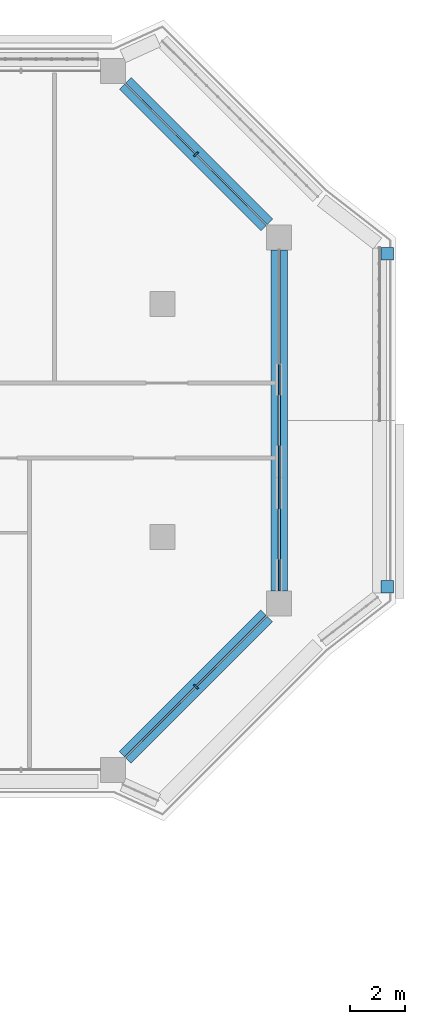
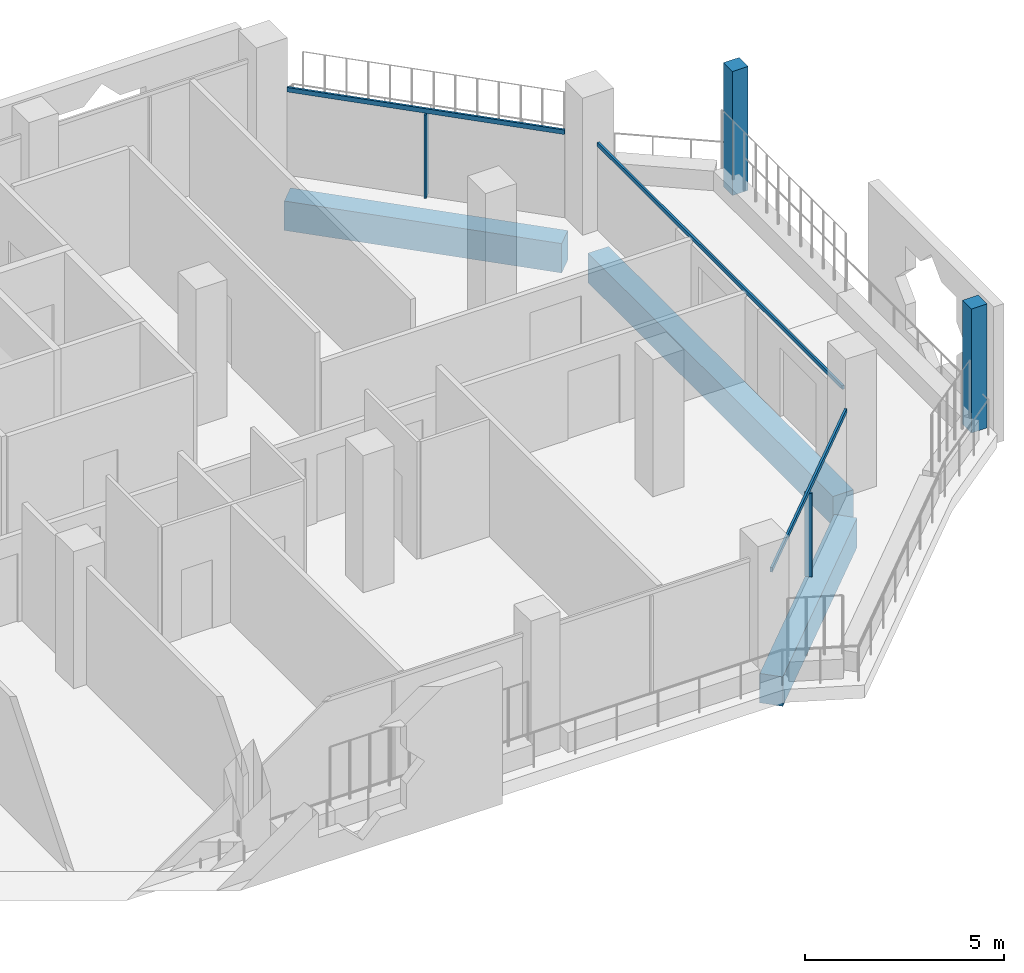
# One storey, part 7 of 22: 7 members, 3 beams, 4 elements without a shape of their own.
"""IFC4 building model written with IfcOpenShell, lengths in metres."""

from ifc_helpers import new_model, si_unit, direction, frame, origin, origin_2d, place, context, subcontext, project, spatial, rectangle, extrude, material, layer, layer_set, material_profile, profile_set, type_object, element, aggregate, save


model = new_model("IFC4")

# Units and contexts
model_context = context("Model", 3, precision=1e-05, world=origin(), true_north=direction((0.0, 1.0)))
body_context = subcontext(model_context, "Body", "Model", "MODEL_VIEW")
ifc_project = project(units=[si_unit("LENGTHUNIT", "METRE"), si_unit("AREAUNIT", "SQUARE_METRE"), si_unit("VOLUMEUNIT", "CUBIC_METRE"), si_unit("PLANEANGLEUNIT", "RADIAN"), si_unit("MASSUNIT", "GRAM", prefix="KILO")], contexts=[model_context])

# Site, building, storey
site_placement = place(None, origin())
site = spatial("IfcSite", under=ifc_project, at=site_placement, CompositionType="ELEMENT")
building_placement = place(site_placement, origin())
building = spatial("IfcBuilding", under=site, at=building_placement, Name="Kawkab Arch Medical Tower", CompositionType="ELEMENT")
storey_placement = place(building_placement, frame((0.0, 0.0, 255.800048828125)))
storey = spatial("IfcBuildingStorey", under=building, at=storey_placement, Name="L59", CompositionType="ELEMENT", Elevation=255.800048828125)

# Curtain wall, member
ifc_material_1 = material(Name="Bronze anodised aluminium curtain wall frame", Category="aluminium")
ifc_layer_1 = layer(ifc_material_1, 0.159912109375)
ifc_layer_set_1 = layer_set([ifc_layer_1], Name="Bronze anodised aluminium curtain wall frame")
curtain_wall_type_1 = type_object("IfcCurtainWallType", Name="CW1 ward curtain wall", PredefinedType="NOTDEFINED", material=ifc_layer_set_1)
placement = place(storey_placement, origin())
curtain_wall_1 = element("IfcCurtainWall", 1, at=placement, inside=storey, type_object=curtain_wall_type_1, Name="CW1 Ward curtain wall R09", PredefinedType="NOTDEFINED")
ifc_material_2 = material(Name="Bronze anodised aluminium curtain wall frame", Category="aluminium")
ifc_material_profile_1 = material_profile(ifc_material_2, rectangle(XDim=0.06005859375, YDim=0.1201171875, at=origin_2d()), Name="AL 60x120")
ifc_profile_set_1 = profile_set([ifc_material_profile_1], Name="Bronze anodised aluminium curtain wall frame")
member_type_1 = type_object("IfcMemberType", Name="CW1 transom 120 x 60", PredefinedType="USERDEFINED", material=ifc_profile_set_1)
member_1_placement = place(storey_placement, frame((63.0, -18.75, 2.639892578125), z_axis=(0.0, 1.0, 0.0), x_axis=(-1.0, 0.0, 0.0)))
member_1 = element("IfcMember", 2, at=member_1_placement, type_object=member_type_1, Name="CW1 transom 1", ObjectType="TRANSOM", PredefinedType="USERDEFINED", context=body_context, shape_type="SweptSolid", body=[
    extrude(rectangle(XDim=0.06005859375, YDim=0.1201171875, at=origin_2d()), origin(), (0.0, 0.0, 1.0), 12.300048828125),
])
aggregate(curtain_wall_1, [member_1])

ifc_material_3 = material(Name="Bronze anodised aluminium curtain wall frame", Category="aluminium")
ifc_layer_2 = layer(ifc_material_3, 0.159912109375)
ifc_layer_set_2 = layer_set([ifc_layer_2], Name="Bronze anodised aluminium curtain wall frame")
curtain_wall_type_2 = type_object("IfcCurtainWallType", Name="CW2 chamfer curtain wall", PredefinedType="NOTDEFINED", material=ifc_layer_set_2)
curtain_wall_2 = element("IfcCurtainWall", 3, at=placement, inside=storey, type_object=curtain_wall_type_2, Name="CW2 Chamfer curtain wall R08", PredefinedType="NOTDEFINED")
ifc_material_4 = material(Name="Bronze anodised aluminium curtain wall frame", Category="aluminium")
ifc_material_profile_2 = material_profile(ifc_material_4, rectangle(XDim=0.199951171875, YDim=0.06005859375, at=origin_2d()), Name="AL 60x200")
ifc_profile_set_2 = profile_set([ifc_material_profile_2], Name="Bronze anodised aluminium curtain wall frame")
member_type_2 = type_object("IfcMemberType", Name="CW2 mullion 60 x 200", PredefinedType="MULLION", material=ifc_profile_set_2)
member_2_placement = place(storey_placement, frame((60.0, -22.199951171875, 0.0), z_axis=(0.0, 0.0, 1.0), x_axis=(-0.707106781187, 0.707106781187, 0.0)))
member_2 = element("IfcMember", 4, at=member_2_placement, type_object=member_type_2, Name="CW2 mullion 1.1", PredefinedType="MULLION", context=body_context, shape_type="SweptSolid", body=[
    extrude(rectangle(XDim=0.199951171875, YDim=0.06005859375, at=origin_2d()), origin(), (0.0, 0.0, 1.0), 2.56005859375),
])

curtain_wall_3 = element("IfcCurtainWall", 5, at=placement, inside=storey, type_object=curtain_wall_type_2, Name="CW2 Chamfer curtain wall R10", PredefinedType="NOTDEFINED")
member_3_placement = place(storey_placement, frame((60.0, -3.0, 0.0), z_axis=(0.0, 0.0, 1.0), x_axis=(-0.707106781187, -0.707106781187, 0.0)))
member_3 = element("IfcMember", 6, at=member_3_placement, type_object=member_type_2, Name="CW2 mullion 1.1", PredefinedType="MULLION", context=body_context, shape_type="SweptSolid", body=[
    extrude(rectangle(XDim=0.199951171875, YDim=0.06005859375, at=origin_2d()), origin(), (0.0, 0.0, 1.0), 2.56005859375),
])

# Member
ifc_material_5 = material(Name="Bronze anodised aluminium curtain wall frame", Category="aluminium")
ifc_material_profile_3 = material_profile(ifc_material_5, rectangle(XDim=0.06005859375, YDim=0.139892578125, at=origin_2d()), Name="AL 60x140")
ifc_profile_set_3 = profile_set([ifc_material_profile_3], Name="Bronze anodised aluminium curtain wall frame")
member_type_3 = type_object("IfcMemberType", Name="CW2 transom 140 x 60", PredefinedType="USERDEFINED", material=ifc_profile_set_3)
member_4_placement = place(storey_placement, frame((57.449951171875, -24.75, 2.6298828125), z_axis=(0.707106781187, 0.707106781187, 0.0), x_axis=(-0.707106781187, 0.707106781187, 0.0)))
member_4 = element("IfcMember", 7, at=member_4_placement, type_object=member_type_3, Name="CW2 transom 1", ObjectType="TRANSOM", PredefinedType="USERDEFINED", context=body_context, shape_type="SweptSolid", body=[
    extrude(rectangle(XDim=0.06005859375, YDim=0.139892578125, at=origin_2d()), origin(), (0.0, 0.0, 1.0), 7.212646484375),
])

aggregate(curtain_wall_2, [member_4, member_2])

member_5_placement = place(storey_placement, frame((62.550048828125, -5.550048828125, 2.6298828125), z_axis=(-0.707106781187, 0.707106781187, 0.0), x_axis=(-0.707106781187, -0.707106781187, 0.0)))
member_5 = element("IfcMember", 8, at=member_5_placement, type_object=member_type_3, Name="CW2 transom 1", ObjectType="TRANSOM", PredefinedType="USERDEFINED", context=body_context, shape_type="SweptSolid", body=[
    extrude(rectangle(XDim=0.06005859375, YDim=0.139892578125, at=origin_2d()), origin(), (0.0, 0.0, 1.0), 7.212646484375),
])

aggregate(curtain_wall_3, [member_5, member_3])

# Curtain wall, members
ifc_material_6 = material(Name="Bronze anodised aluminium climber frame, planted", Category="aluminium")
ifc_layer_3 = layer(ifc_material_6, 0.449951171875)
ifc_layer_set_3 = layer_set([ifc_layer_3], Name="Bronze anodised aluminium climber frame, planted")
curtain_wall_type_3 = type_object("IfcCurtainWallType", Name="Planted climber frame", PredefinedType="NOTDEFINED", material=ifc_layer_set_3)
curtain_wall_4 = element("IfcCurtainWall", 9, at=placement, inside=storey, type_object=curtain_wall_type_3, Name="Planted climber frame L59", PredefinedType="NOTDEFINED")
ifc_material_7 = material(Name="Bronze anodised aluminium climber frame, planted", Category="aluminium")
ifc_material_profile_4 = material_profile(ifc_material_7, rectangle(XDim=0.449951171875, YDim=0.449951171875, at=origin_2d()), Name="Post 450x450")
ifc_profile_set_4 = profile_set([ifc_material_profile_4], Name="Bronze anodised aluminium climber frame, planted")
member_type_4 = type_object("IfcMemberType", Name="Planted climber post 450 x 450", PredefinedType="MULLION", material=ifc_profile_set_4)
member_6_placement = place(storey_placement, frame((66.89990234375, -6.596923828125, 0.0), z_axis=(0.0, 0.0, 1.0), x_axis=(1.0, 0.0, 0.0)))
member_6 = element("IfcMember", 10, at=member_6_placement, type_object=member_type_4, Name="Planted climber post L59.LOG-01-01.1", PredefinedType="MULLION", context=body_context, shape_type="SweptSolid", body=[
    extrude(rectangle(XDim=0.449951171875, YDim=0.449951171875, at=origin_2d()), origin(), (0.0, 0.0, 1.0), 3.800048828125),
])
member_7_placement = place(storey_placement, frame((66.89990234375, -18.60302734375, 0.0), z_axis=(0.0, 0.0, 1.0), x_axis=(1.0, 0.0, 0.0)))
member_7 = element("IfcMember", 11, at=member_7_placement, type_object=member_type_4, Name="Planted climber post L59.LOG-01-01.2", PredefinedType="MULLION", context=body_context, shape_type="SweptSolid", body=[
    extrude(rectangle(XDim=0.449951171875, YDim=0.449951171875, at=origin_2d()), origin(), (0.0, 0.0, 1.0), 3.800048828125),
])
aggregate(curtain_wall_4, [member_6, member_7])

# Beams
ifc_material_8 = material(Name="Concrete C45/55", Category="concrete")
ifc_material_profile_5 = material_profile(ifc_material_8, rectangle(XDim=0.60009765625, YDim=0.89990234375, at=origin_2d()), Name="RC 600x900")
ifc_profile_set_5 = profile_set([ifc_material_profile_5], Name="Concrete C45/55")
beam_type = type_object("IfcBeamType", Name="RC 600x900 beam C45/55", PredefinedType="BEAM", material=ifc_profile_set_5)
beam_1_placement = place(storey_placement, frame((57.449951171875, -0.449951171875, -1.050048828125), z_axis=(0.707106781187, -0.707106781187, 0.0), x_axis=(0.707106781187, 0.707106781187, 0.0)))
element("IfcBeam", 12, at=beam_1_placement, inside=storey, type_object=beam_type, Name="Overhang edge beam L59-01", PredefinedType="BEAM", context=body_context, shape_type="SweptSolid", body=[
    extrude(rectangle(XDim=0.60009765625, YDim=0.89990234375, at=origin_2d()), origin(), (0.0, 0.0, 1.0), 7.212646484375),
])
beam_2_placement = place(storey_placement, frame((63.0, -6.449951171875, -1.050048828125), z_axis=(0.0, -1.0, 0.0), x_axis=(1.0, 0.0, 0.0)))
element("IfcBeam", 13, at=beam_2_placement, inside=storey, type_object=beam_type, Name="Overhang edge beam L59-02", PredefinedType="BEAM", context=body_context, shape_type="SweptSolid", body=[
    extrude(rectangle(XDim=0.60009765625, YDim=0.89990234375, at=origin_2d()), origin(), (0.0, 0.0, 1.0), 12.300048828125),
])
beam_3_placement = place(storey_placement, frame((62.550048828125, -19.64990234375, -1.050048828125), z_axis=(-0.707106781187, -0.707106781187, 0.0), x_axis=(0.707106781187, -0.707106781187, 0.0)))
element("IfcBeam", 14, at=beam_3_placement, inside=storey, type_object=beam_type, Name="Overhang edge beam L59-03", PredefinedType="BEAM", context=body_context, shape_type="SweptSolid", body=[
    extrude(rectangle(XDim=0.60009765625, YDim=0.89990234375, at=origin_2d()), origin(), (0.0, 0.0, 1.0), 7.212646484375),
])

save(model, "model.ifc")
